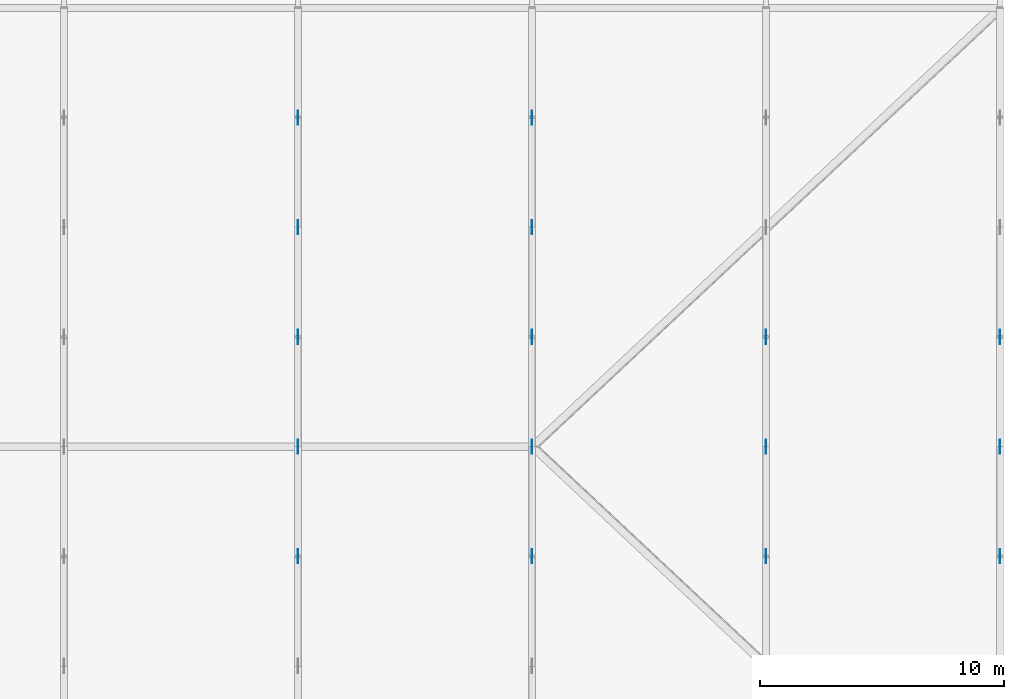
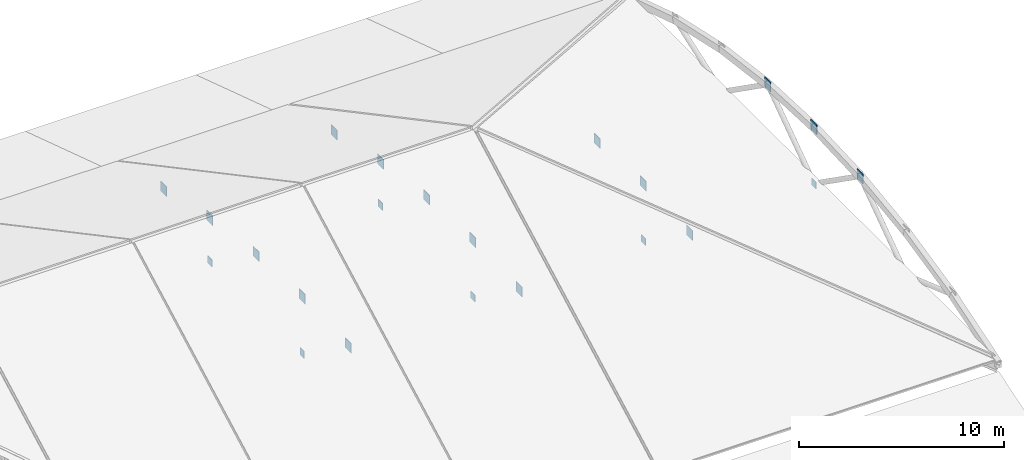
# One storey, part 12 of 16: 22 plates.
"""IFC4 building model written with IfcOpenShell, lengths in metres."""

from ifc_helpers import new_model, si_unit, direction, frame, origin, origin_2d, place, context, subcontext, project, spatial, rectangle, extrude, material, layer, layer_set, type_object, element, save


model = new_model("IFC4")

# Units and contexts
model_context = context("Model", 3, precision=1e-05, world=origin(), true_north=direction((0.0, 1.0)))
body_context = subcontext(model_context, "Body", "Model", "MODEL_VIEW")
ifc_project = project(units=[si_unit("LENGTHUNIT", "METRE"), si_unit("AREAUNIT", "SQUARE_METRE"), si_unit("VOLUMEUNIT", "CUBIC_METRE"), si_unit("PLANEANGLEUNIT", "RADIAN"), si_unit("MASSUNIT", "GRAM", prefix="KILO")], contexts=[model_context])

# Site, building, storey
site_placement = place(None, origin())
site = spatial("IfcSite", under=ifc_project, at=site_placement, CompositionType="ELEMENT")
building_placement = place(site_placement, origin())
building = spatial("IfcBuilding", under=site, at=building_placement, Name="Zarnetskaya Central Station", CompositionType="ELEMENT")
storey_placement = place(building_placement, frame((0.0, 0.0, 27.0)))
storey = spatial("IfcBuildingStorey", under=building, at=storey_placement, Name="RF", CompositionType="ELEMENT", Elevation=27.0)

# Plates
ifc_material = material(Name="Steel S355", Category="steel")
ifc_layer_1 = layer(ifc_material, 0.028076171875, Name="Steel S355", Category="steel")
ifc_layer_set_1 = layer_set([ifc_layer_1], Name="Steel S355")
plate_type_1 = type_object("IfcPlateType", Name="ND-GUSSET-28", PredefinedType="USERDEFINED", material=ifc_layer_set_1)
for number, where, z_axis, x_axis, name in (
    (1, (96.0, 35.699951171875, -10.17041015625), (0.0, 0.0, 1.0), (1.0, 0.0, 0.0), "ROOF TRUSS RT-05 gusset node plate 3"),
    (2, (96.0, 44.699951171875, -10.17041015625), (0.0, 0.0, 1.0), (1.0, 0.0, 0.0), "ROOF TRUSS RT-05 gusset node plate 5"),
    (3, (96.0, 49.199951171875, -10.760009765625), (0.0, 0.0, 1.0), (1.0, 0.0, 0.0), "ROOF TRUSS RT-05 gusset node plate 6"),
    (4, (96.0, 53.699951171875, -11.75830078125), (0.0, 0.0, 1.0), (1.0, 0.0, 0.0), "ROOF TRUSS RT-05 gusset node plate 7"),
    (5, (105.60009765625, 35.699951171875, -10.17041015625), (0.0, 0.0, 1.0), (1.0, 0.0, 0.0), "ROOF TRUSS RT-06 gusset node plate 3"),
    (6, (105.60009765625, 44.699951171875, -10.17041015625), (0.0, 0.0, 1.0), (1.0, 0.0, 0.0), "ROOF TRUSS RT-06 gusset node plate 5"),
    (7, (105.60009765625, 49.199951171875, -10.760009765625), (0.0, 0.0, 1.0), (1.0, 0.0, 0.0), "ROOF TRUSS RT-06 gusset node plate 6"),
    (8, (105.60009765625, 53.699951171875, -11.75830078125), (0.0, 0.0, 1.0), (1.0, 0.0, 0.0), "ROOF TRUSS RT-06 gusset node plate 7"),
    (9, (115.199951171875, 35.699951171875, -10.17041015625), (0.0, 0.0, 1.0), (1.0, 0.0, 0.0), "ROOF TRUSS RT-07 gusset node plate 3"),
    (10, (115.199951171875, 44.699951171875, -10.17041015625), (0.0, 0.0, 1.0), (1.0, 0.0, 0.0), "ROOF TRUSS RT-07 gusset node plate 5"),
    (11, (124.800048828125, 35.699951171875, -10.17041015625), (0.0, 0.0, 1.0), (1.0, 0.0, 0.0), "ROOF TRUSS RT-08 gusset node plate 3"),
    (12, (124.800048828125, 44.699951171875, -10.17041015625), (0.0, 0.0, 1.0), (1.0, 0.0, 0.0), "ROOF TRUSS RT-08 gusset node plate 5"),
):
    element("IfcPlate", number, at=place(storey_placement, frame(where, z_axis=z_axis, x_axis=x_axis)), inside=storey, type_object=plate_type_1, Name=name, ObjectType="GUSSET PLATE", PredefinedType="USERDEFINED", context=body_context, shape_type="SweptSolid", body=[
        extrude(rectangle(XDim=0.028076171875, YDim=0.580078125, at=origin_2d()), origin(), (0.0, 0.0, 1.0), 0.580078125),
    ])
for number, where, z_axis, x_axis, name in (
    (13, (96.0, 40.199951171875, -13.260009765625), (0.0, 0.0, 1.0), (1.0, 0.0, 0.0), "Structural member end gusset plate 014"),
    (14, (96.0, 49.199951171875, -13.260009765625), (0.0, 0.0, 1.0), (1.0, 0.0, 0.0), "Structural member end gusset plate 015"),
    (15, (105.60009765625, 40.199951171875, -13.260009765625), (0.0, 0.0, 1.0), (1.0, 0.0, 0.0), "Structural member end gusset plate 017"),
    (16, (105.60009765625, 49.199951171875, -13.260009765625), (0.0, 0.0, 1.0), (1.0, 0.0, 0.0), "Structural member end gusset plate 018"),
    (17, (115.199951171875, 40.199951171875, -13.260009765625), (0.0, 0.0, 1.0), (1.0, 0.0, 0.0), "Structural member end gusset plate 020"),
    (18, (124.800048828125, 40.199951171875, -13.260009765625), (0.0, 0.0, 1.0), (1.0, 0.0, 0.0), "Structural member end gusset plate 023"),
):
    element("IfcPlate", number, at=place(storey_placement, frame(where, z_axis=z_axis, x_axis=x_axis)), inside=storey, type_object=plate_type_1, Name=name, ObjectType="GUSSET PLATE", PredefinedType="USERDEFINED", context=body_context, shape_type="SweptSolid", body=[
        extrude(rectangle(XDim=0.028076171875, YDim=0.419921875, at=origin_2d()), origin(), (0.0, 0.0, 1.0), 0.419921875),
    ])
ifc_layer_2 = layer(ifc_material, 0.035888671875, Name="Steel S355", Category="steel")
ifc_layer_set_2 = layer_set([ifc_layer_2], Name="Steel S355")
plate_type_2 = type_object("IfcPlateType", Name="ND-GUSSET-36", PredefinedType="USERDEFINED", material=ifc_layer_set_2)
for number, where, z_axis, x_axis, name in (
    (19, (96.0, 40.199951171875, -9.975341796875), (0.0, 0.0, 1.0), (1.0, 0.0, 0.0), "ROOF TRUSS RT-05 gusset node plate 4"),
    (20, (105.60009765625, 40.199951171875, -9.975341796875), (0.0, 0.0, 1.0), (1.0, 0.0, 0.0), "ROOF TRUSS RT-06 gusset node plate 4"),
    (21, (115.199951171875, 40.199951171875, -9.975341796875), (0.0, 0.0, 1.0), (1.0, 0.0, 0.0), "ROOF TRUSS RT-07 gusset node plate 4"),
    (22, (124.800048828125, 40.199951171875, -9.975341796875), (0.0, 0.0, 1.0), (1.0, 0.0, 0.0), "ROOF TRUSS RT-08 gusset node plate 4"),
):
    element("IfcPlate", number, at=place(storey_placement, frame(where, z_axis=z_axis, x_axis=x_axis)), inside=storey, type_object=plate_type_2, Name=name, ObjectType="GUSSET PLATE", PredefinedType="USERDEFINED", context=body_context, shape_type="SweptSolid", body=[
        extrude(rectangle(XDim=0.035888671875, YDim=0.580078125, at=origin_2d()), origin(), (0.0, 0.0, 1.0), 0.580078125),
    ])

save(model, "model.ifc")
